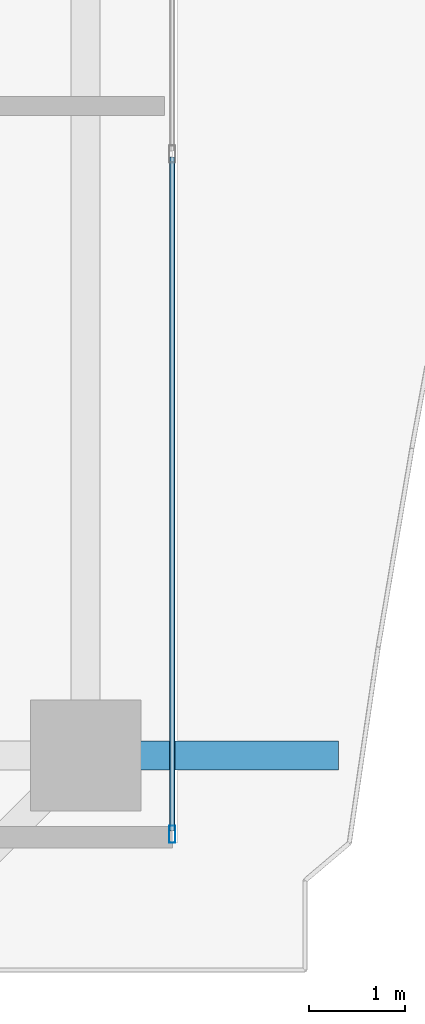
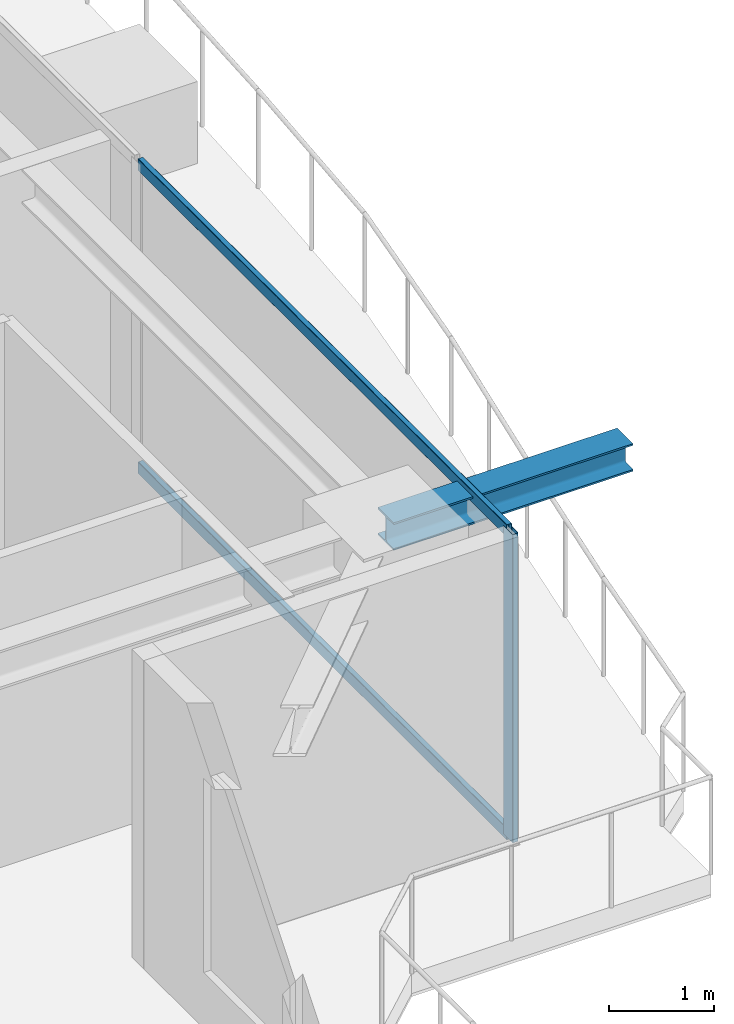
# One storey, part 13 of 37: 3 members, 1 beam, 1 element without a shape of its own.
"""IFC4 building model written with IfcOpenShell, lengths in metres."""

from ifc_helpers import new_model, si_unit, direction, frame, origin, origin_2d, place, context, subcontext, project, spatial, hollow_rectangle, i_section, extrude, source, transform, mapped, material, layer, layer_set, material_profile, profile_set, type_object, element, aggregate, save


model = new_model("IFC4")

# Units and contexts
model_context = context("Model", 3, precision=1e-05, world=origin(), true_north=direction((0.0, 1.0)))
body_context = subcontext(model_context, "Body", "Model", "MODEL_VIEW")
ifc_project = project(units=[si_unit("LENGTHUNIT", "METRE"), si_unit("AREAUNIT", "SQUARE_METRE"), si_unit("VOLUMEUNIT", "CUBIC_METRE"), si_unit("PLANEANGLEUNIT", "RADIAN"), si_unit("MASSUNIT", "GRAM", prefix="KILO")], contexts=[model_context])

# Site, building, storey
site_placement = place(None, origin())
site = spatial("IfcSite", under=ifc_project, at=site_placement, CompositionType="ELEMENT")
building_placement = place(site_placement, origin())
building = spatial("IfcBuilding", under=site, at=building_placement, Name="Serunith Strait Residences", CompositionType="ELEMENT")
storey_placement = place(building_placement, frame((0.0, 0.0, 260.5)))
storey = spatial("IfcBuildingStorey", under=building, at=storey_placement, Name="L65", CompositionType="ELEMENT", Elevation=260.5)

# Beam
ifc_material_1 = material(Name="Steel S355J2", Category="steel")
ifc_material_profile_1 = material_profile(ifc_material_1, i_section(OverallWidth=0.300048828125, OverallDepth=0.320068359375, WebThickness=0.011474609375, FlangeThickness=0.0205078125, FilletRadius=0.027099609375, at=origin_2d()), Name="HEB 320")
ifc_profile_set_1 = profile_set([ifc_material_profile_1], Name="Steel S355J2")
beam_type = type_object("IfcBeamType", Name="BM-HEB320", PredefinedType="BEAM", material=ifc_profile_set_1)
shared_shape_1 = source(origin(), body_context, "Body", "SweptSolid", [
    extrude(i_section(OverallWidth=0.300048828125, OverallDepth=0.320068359375, WebThickness=0.011474609375, FlangeThickness=0.0205078125, FilletRadius=0.027099609375, at=origin_2d()), origin(), (0.0, 0.0, 1.0), 2.62548828125),
])
beam_placement = place(storey_placement, frame((56.5, 10.050048828125, 3.39697265625), z_axis=(1.0, 0.0, 0.0), x_axis=(0.0, 1.0, 0.0)))
element("IfcBeam", 1, at=beam_placement, inside=storey, type_object=beam_type, Name="L66 Cantilevered Balcony Rib TC-E1", PredefinedType="BEAM", context=body_context, shape_type="MappedRepresentation", body=[
    mapped(shared_shape_1, transform((0.0, 0.0, 0.0), scale=1.0)),
])

# Curtain wall, members
ifc_material_2 = material(Name="Pale-Champagne Anodised Aluminium", Category="aluminium")
ifc_layer = layer(ifc_material_2, 0.199951171875, Name="Pale-Champagne Anodised Aluminium")
ifc_layer_set = layer_set([ifc_layer], Name="Pale-Champagne Anodised Aluminium")
curtain_wall_type = type_object("IfcCurtainWallType", Name="CW-SYS4", PredefinedType="NOTDEFINED", material=ifc_layer_set)
curtain_wall_placement = place(storey_placement, origin())
curtain_wall = element("IfcCurtainWall", 2, at=curtain_wall_placement, inside=storey, type_object=curtain_wall_type, Name="L65 E Unitised Fritted Curtain Wall", PredefinedType="NOTDEFINED")
ifc_material_profile_2 = material_profile(ifc_material_2, hollow_rectangle(XDim=0.06494140625, YDim=0.179931640625, WallThickness=0.00341796875, InnerFilletRadius=0.00537109375, OuterFilletRadius=0.0087890625, at=origin_2d()), Name="ALU 180x65x3.5")
ifc_profile_set_2 = profile_set([ifc_material_profile_2], Name="Pale-Champagne Anodised Aluminium")
member_type_1 = type_object("IfcMemberType", Name="CW-SYS4-MULL", PredefinedType="MULLION", material=ifc_profile_set_2)
shared_shape_2 = source(origin(), body_context, "Body", "SweptSolid", [
    extrude(hollow_rectangle(XDim=0.06494140625, YDim=0.179931640625, WallThickness=0.00341796875, InnerFilletRadius=0.00537109375, OuterFilletRadius=0.0087890625, at=origin_2d()), origin(), (0.0, 0.0, 1.0), 3.574951171875),
])
member_1_placement = place(storey_placement, frame((57.39990234375, 9.232421875, 0.0), z_axis=(0.0, 0.0, 1.0), x_axis=(-1.0, 0.0, 0.0)))
member_1 = element("IfcMember", 3, at=member_1_placement, type_object=member_type_1, Name="CW-4 mullion 1", PredefinedType="MULLION", context=body_context, shape_type="MappedRepresentation", body=[
    mapped(shared_shape_2, transform((0.0, 0.0, 0.0), scale=1.0)),
])
ifc_material_profile_3 = material_profile(ifc_material_2, hollow_rectangle(XDim=0.06005859375, YDim=0.139892578125, WallThickness=0.00341796875, InnerFilletRadius=0.00537109375, OuterFilletRadius=0.0087890625, at=origin_2d()), Name="ALU 140x60x3.5")
ifc_profile_set_3 = profile_set([ifc_material_profile_3], Name="Pale-Champagne Anodised Aluminium")
member_type_2 = type_object("IfcMemberType", Name="CW-SYS4-TRAN", PredefinedType="USERDEFINED", material=ifc_profile_set_3)
shared_shape_3 = source(origin(), body_context, "Body", "SweptSolid", [
    extrude(hollow_rectangle(XDim=0.06005859375, YDim=0.139892578125, WallThickness=0.00341796875, InnerFilletRadius=0.00537109375, OuterFilletRadius=0.0087890625, at=origin_2d()), origin(), (0.0, 0.0, 1.0), 7.002685546875),
])
member_2_placement = place(storey_placement, frame((57.39990234375, 9.264892578125, 0.030029296875), z_axis=(0.0, 1.0, 0.0), x_axis=(-1.0, 0.0, 0.0)))
member_2 = element("IfcMember", 4, at=member_2_placement, type_object=member_type_2, Name="CW-4 transom 1.1", ObjectType="TRANSOM", PredefinedType="USERDEFINED", context=body_context, shape_type="MappedRepresentation", body=[
    mapped(shared_shape_3, transform((0.0, 0.0, 0.0), scale=1.0)),
])
member_3_placement = place(storey_placement, frame((57.39990234375, 9.264892578125, 3.544921875), z_axis=(0.0, 1.0, 0.0), x_axis=(-1.0, 0.0, 0.0)))
member_3 = element("IfcMember", 5, at=member_3_placement, type_object=member_type_2, Name="CW-4 transom 1.2", ObjectType="TRANSOM", PredefinedType="USERDEFINED", context=body_context, shape_type="MappedRepresentation", body=[
    mapped(shared_shape_3, transform((0.0, 0.0, 0.0), scale=1.0)),
])
aggregate(curtain_wall, [member_1, member_2, member_3])

save(model, "model.ifc")
